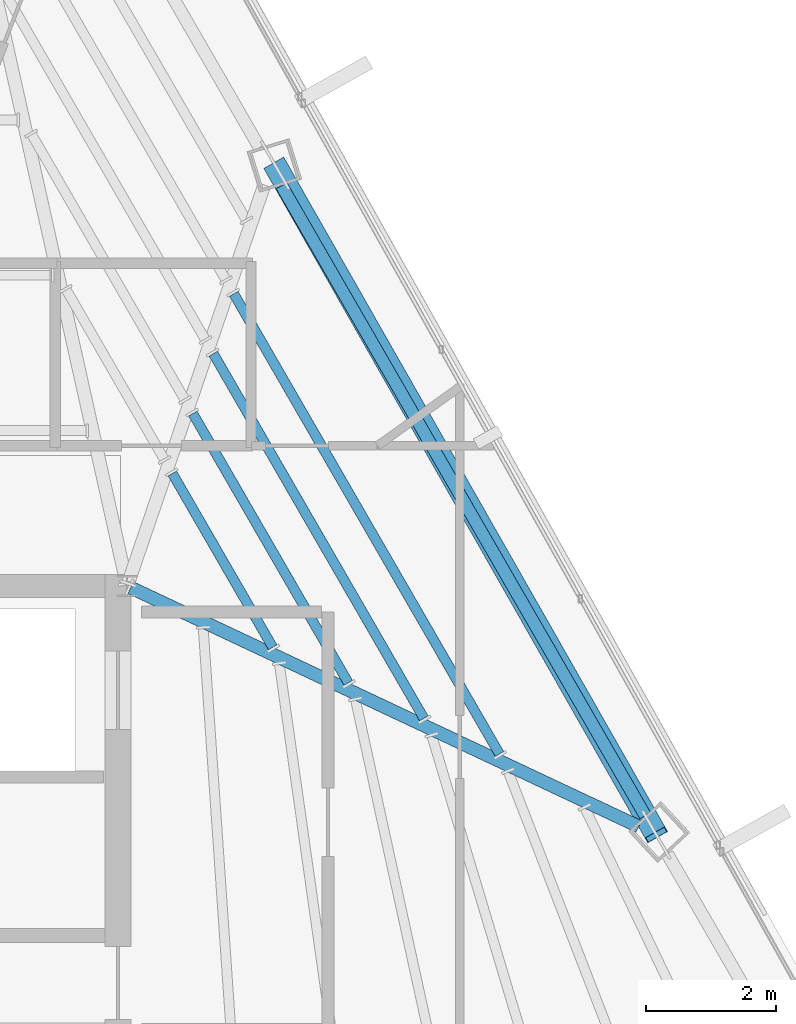
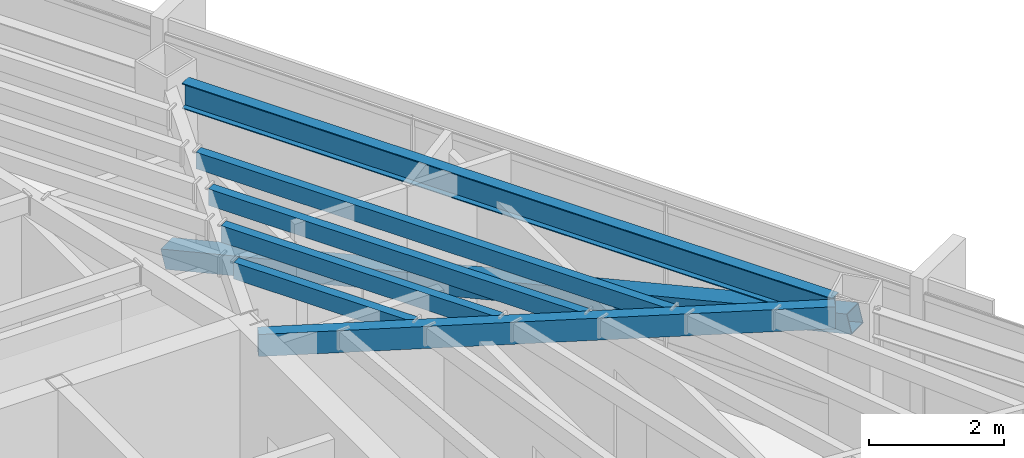
# One storey, part 27 of 47: 6 beams, 1 member.
"""IFC4 building model written with IfcOpenShell, lengths in metres."""

from ifc_helpers import new_model, si_unit, direction, frame, origin, origin_2d, place, context, subcontext, project, spatial, hollow_rectangle, i_section, extrude, source, transform, mapped, material, material_profile, profile_set, type_object, type_shapes, element, save


model = new_model("IFC4")

# Units and contexts
model_context = context("Model", 3, precision=1e-05, world=origin(), true_north=direction((0.0, 1.0)))
body_context = subcontext(model_context, "Body", "Model", "MODEL_VIEW")
ifc_project = project(units=[si_unit("LENGTHUNIT", "METRE"), si_unit("AREAUNIT", "SQUARE_METRE"), si_unit("VOLUMEUNIT", "CUBIC_METRE"), si_unit("PLANEANGLEUNIT", "RADIAN"), si_unit("MASSUNIT", "GRAM", prefix="KILO")], contexts=[model_context])

# Site, building, storey
site_placement = place(None, origin())
site = spatial("IfcSite", under=ifc_project, at=site_placement, CompositionType="ELEMENT")
building_placement = place(site_placement, origin())
building = spatial("IfcBuilding", under=site, at=building_placement, Name="Caelisora Broadcast Tower", CompositionType="ELEMENT")
storey_placement = place(building_placement, frame((0.0, 0.0, 255.39990234375)))
storey = spatial("IfcBuildingStorey", under=building, at=storey_placement, Name="L67", CompositionType="ELEMENT", Elevation=255.39990234375)

# Beams
ifc_material_1 = material(Name="Steel Grade 350 (AS/NZS 3679.1)", Category="steel")
ifc_material_profile_1 = material_profile(ifc_material_1, i_section(OverallWidth=0.19091796875, OverallDepth=0.46044921875, WebThickness=0.010009765625, FlangeThickness=0.01611328125, at=origin_2d()), Name="Steel Grade 350 (AS/NZS 3679.1)")
ifc_profile_set_1 = profile_set([ifc_material_profile_1], Name="Steel Grade 350 (AS/NZS 3679.1)")
beam_type_1 = type_object("IfcBeamType", Name="PG06", PredefinedType="BEAM", material=ifc_profile_set_1)
shared_shape_1 = source(origin(), body_context, "Body", "SweptSolid", [
    extrude(i_section(OverallWidth=0.19091796875, OverallDepth=0.46044921875, WebThickness=0.010009765625, FlangeThickness=0.01611328125, at=origin_2d()), origin(), (0.0, 0.0, 1.0), 11.1572265625),
])
type_shapes(beam_type_1, [shared_shape_1])
beam_1_placement = place(storey_placement, frame((53.44677734375, 26.4765625, 3.169921875), z_axis=(-0.50000342009, 0.866023429186, 0.0), x_axis=(-0.866023429186, -0.50000342009, 0.0)))
element("IfcBeam", 1, at=beam_1_placement, inside=storey, type_object=beam_type_1, Name="L67 beam PG06", PredefinedType="BEAM", context=body_context, shape_type="MappedRepresentation", body=[
    mapped(shared_shape_1, transform((0.0, 0.0, 0.0), scale=1.0)),
])
ifc_material_2 = material(Name="Steel Grade 350 (AS/NZS 1163 C350L0)", Category="steel")
ifc_material_profile_2 = material_profile(ifc_material_2, hollow_rectangle(XDim=0.199951171875, YDim=0.39990234375, WallThickness=0.012451171875, at=origin_2d()), Name="Steel Grade 350 (AS/NZS 1163 C350L0)")
ifc_profile_set_2 = profile_set([ifc_material_profile_2], Name="Steel Grade 350 (AS/NZS 1163 C350L0)")
beam_type_2 = type_object("IfcBeamType", Name="PG07", PredefinedType="BEAM", material=ifc_profile_set_2)
shared_shape_2 = source(origin(), body_context, "Body", "SweptSolid", [
    extrude(hollow_rectangle(XDim=0.199951171875, YDim=0.39990234375, WallThickness=0.012451171875, at=origin_2d()), origin(), (0.0, 0.0, 1.0), 8.610107421875),
])
type_shapes(beam_type_2, [shared_shape_2])
beam_2_placement = place(storey_placement, frame((45.55419921875, 29.974609375, 3.2001953125), z_axis=(0.904947824138, -0.425522544159, 0.0), x_axis=(0.425522544159, 0.904947824138, 0.0)))
element("IfcBeam", 2, at=beam_2_placement, inside=storey, type_object=beam_type_2, Name="L67 beam PG07", PredefinedType="BEAM", context=body_context, shape_type="MappedRepresentation", body=[
    mapped(shared_shape_2, transform((0.0, 0.0, 0.0), scale=1.0)),
])
ifc_material_profile_3 = material_profile(ifc_material_2, hollow_rectangle(XDim=0.14990234375, YDim=0.300048828125, WallThickness=0.010009765625, at=origin_2d()), Name="Steel Grade 350 (AS/NZS 1163 C350L0)")
ifc_profile_set_3 = profile_set([ifc_material_profile_3], Name="Steel Grade 350 (AS/NZS 1163 C350L0)")
beam_type_3 = type_object("IfcBeamType", Name="SB05", PredefinedType="JOIST", material=ifc_profile_set_3)
shared_shape_3 = source(origin(), body_context, "Body", "SweptSolid", [
    extrude(hollow_rectangle(XDim=0.14990234375, YDim=0.300048828125, WallThickness=0.010009765625, at=origin_2d()), origin(), (0.0, 0.0, 1.0), 3.079345703125),
])
beam_3_placement = place(storey_placement, frame((47.732666015625, 29.05859375, 3.25), z_axis=(-0.499976393034, 0.866039032844, 0.0), x_axis=(-0.866039032844, -0.499976393034, 0.0)))
element("IfcBeam", 3, at=beam_3_placement, inside=storey, type_object=beam_type_3, Name="L67 beam SB05", PredefinedType="JOIST", context=body_context, shape_type="MappedRepresentation", body=[
    mapped(shared_shape_3, transform((0.0, 0.0, 0.0), scale=1.0)),
])
shared_shape_4 = source(origin(), body_context, "Body", "SweptSolid", [
    extrude(hollow_rectangle(XDim=0.14990234375, YDim=0.300048828125, WallThickness=0.010009765625, at=origin_2d()), origin(), (0.0, 0.0, 1.0), 4.769287109375),
])
beam_4_placement = place(storey_placement, frame((48.89208984375, 28.513671875, 3.25), z_axis=(-0.500014901547, 0.866016800201, 0.0), x_axis=(-0.866016800201, -0.500014901547, 0.0)))
element("IfcBeam", 4, at=beam_4_placement, inside=storey, type_object=beam_type_3, Name="L67 beam SB05", PredefinedType="JOIST", context=body_context, shape_type="MappedRepresentation", body=[
    mapped(shared_shape_4, transform((0.0, 0.0, 0.0), scale=1.0)),
])
shared_shape_5 = source(origin(), body_context, "Body", "SweptSolid", [
    extrude(hollow_rectangle(XDim=0.14990234375, YDim=0.300048828125, WallThickness=0.010009765625, at=origin_2d()), origin(), (0.0, 0.0, 1.0), 6.4599609375),
])
beam_5_placement = place(storey_placement, frame((50.051513671875, 27.968505859375, 3.25), z_axis=(-0.500000526688, 0.866025099701, 0.0), x_axis=(-0.866025099701, -0.500000526688, 0.0)))
element("IfcBeam", 5, at=beam_5_placement, inside=storey, type_object=beam_type_3, Name="L67 beam SB05", PredefinedType="JOIST", context=body_context, shape_type="MappedRepresentation", body=[
    mapped(shared_shape_5, transform((0.0, 0.0, 0.0), scale=1.0)),
])
shared_shape_6 = source(origin(), body_context, "Body", "SweptSolid", [
    extrude(hollow_rectangle(XDim=0.14990234375, YDim=0.300048828125, WallThickness=0.010009765625, at=origin_2d()), origin(), (0.0, 0.0, 1.0), 8.150390625),
])
type_shapes(beam_type_3, [shared_shape_3, shared_shape_4, shared_shape_5, shared_shape_6])
beam_6_placement = place(storey_placement, frame((51.2109375, 27.42333984375, 3.25), z_axis=(-0.500005085581, 0.866022467603, 0.0), x_axis=(-0.866022467603, -0.500005085581, 0.0)))
element("IfcBeam", 6, at=beam_6_placement, inside=storey, type_object=beam_type_3, Name="L67 beam SB05", PredefinedType="JOIST", context=body_context, shape_type="MappedRepresentation", body=[
    mapped(shared_shape_6, transform((0.0, 0.0, 0.0), scale=1.0)),
])

# Member
ifc_material_3 = material(Name="Steel Grade 450 (AS/NZS 1163 C450L0)", Category="steel")
ifc_material_profile_4 = material_profile(ifc_material_3, hollow_rectangle(XDim=0.35009765625, YDim=0.35009765625, WallThickness=0.012451171875, at=origin_2d()), Name="Steel Grade 450 (AS/NZS 1163 C450L0)")
ifc_profile_set_4 = profile_set([ifc_material_profile_4], Name="Steel Grade 450 (AS/NZS 1163 C450L0)")
member_type = type_object("IfcMemberType", Name="BR05", PredefinedType="BRACE", material=ifc_profile_set_4)
shared_shape_7 = source(origin(), body_context, "Body", "SweptSolid", [
    extrude(hollow_rectangle(XDim=0.35009765625, YDim=0.35009765625, WallThickness=0.012451171875, at=origin_2d()), origin(), (0.0, 0.0, 1.0), 12.19189453125),
])
type_shapes(member_type, [shared_shape_7])
member_placement = place(storey_placement, frame((53.61572265625, 26.183837890625, 3.10009765625), z_axis=(-0.479477388143, 0.842349496001, -0.246066578078), x_axis=(-0.869070880619, -0.494687582683, 0.0)))
element("IfcMember", 7, at=member_placement, inside=storey, type_object=member_type, Name="L67 perimeter brace BR05", PredefinedType="BRACE", context=body_context, shape_type="MappedRepresentation", body=[
    mapped(shared_shape_7, transform((0.0, 0.0, 0.0), scale=1.0)),
])

save(model, "model.ifc")
